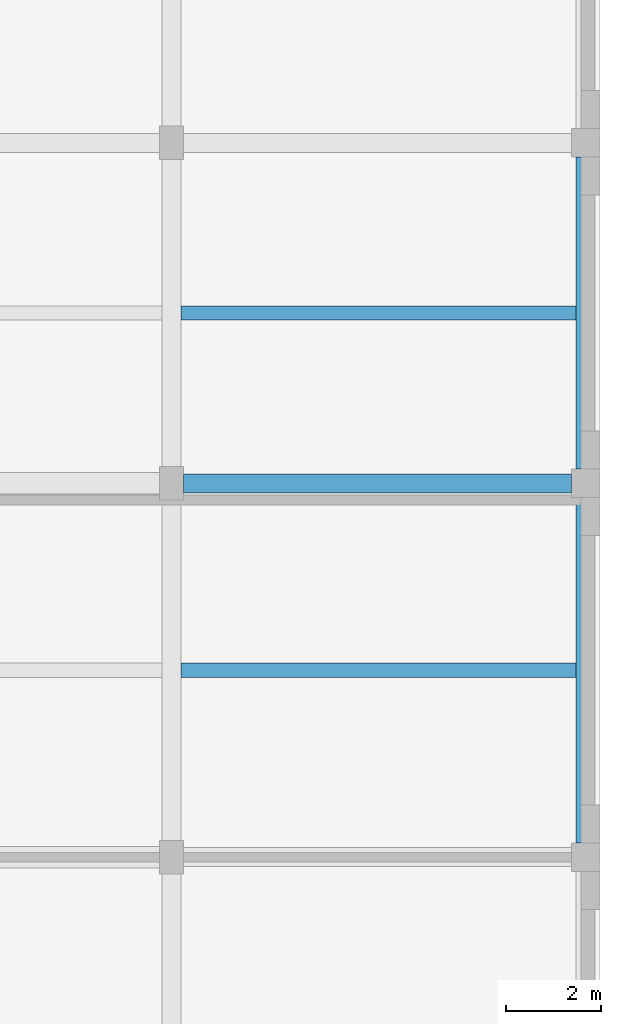
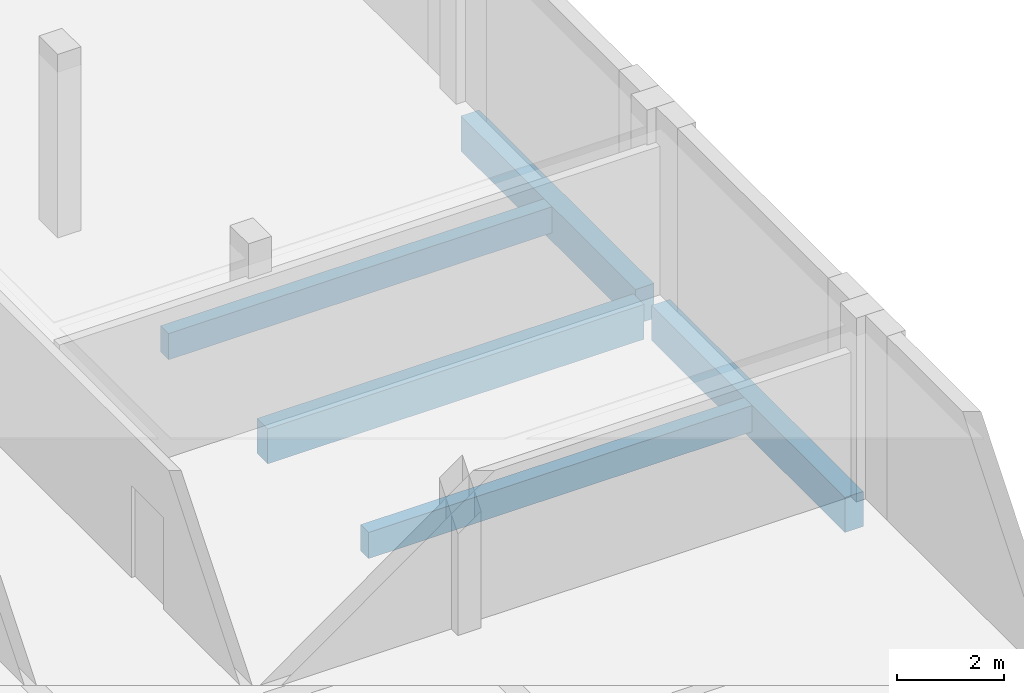
# One storey, part 24 of 92: 5 beams.
"""IFC4 building model written with IfcOpenShell, lengths in metres."""

from ifc_helpers import new_model, si_unit, direction, frame, origin, origin_2d, place, context, subcontext, project, spatial, rectangle, extrude, material, material_profile, profile_set, type_object, element, save


model = new_model("IFC4")

# Units and contexts
model_context = context("Model", 3, precision=1e-05, world=origin(), true_north=direction((0.0, 1.0)))
body_context = subcontext(model_context, "Body", "Model", "MODEL_VIEW")
ifc_project = project(units=[si_unit("LENGTHUNIT", "METRE"), si_unit("AREAUNIT", "SQUARE_METRE"), si_unit("VOLUMEUNIT", "CUBIC_METRE"), si_unit("PLANEANGLEUNIT", "RADIAN"), si_unit("MASSUNIT", "GRAM", prefix="KILO")], contexts=[model_context])

# Site, building, storey
site_placement = place(None, origin())
site = spatial("IfcSite", under=ifc_project, at=site_placement, CompositionType="ELEMENT")
building_placement = place(site_placement, origin())
building = spatial("IfcBuilding", under=site, at=building_placement, Name="Sun Court Science Centre", CompositionType="ELEMENT")
storey_placement = place(building_placement, frame((0.0, 0.0, 11.25)))
storey = spatial("IfcBuildingStorey", under=building, at=storey_placement, Name="L02", CompositionType="ELEMENT", Elevation=11.25)

# Beams
ifc_material_1 = material(Name="Concrete C25/30", Category="concrete")
ifc_material_profile_1 = material_profile(ifc_material_1, rectangle(XDim=0.39990234375, YDim=0.800048828125, at=origin_2d()), Name="RC 400x800")
ifc_profile_set_1 = profile_set([ifc_material_profile_1], Name="Concrete C25/30")
beam_type_1 = type_object("IfcBeamType", Name="RC girder 400x800", PredefinedType="BEAM", material=ifc_profile_set_1)
beam_1_placement = place(storey_placement, frame((95.25, 28.85009765625, -0.699951171875), z_axis=(1.0, 0.0, 0.0), x_axis=(0.0, 1.0, 0.0)))
element("IfcBeam", 1, at=beam_1_placement, inside=storey, type_object=beam_type_1, Name="Girder L02 row 4", PredefinedType="BEAM", context=body_context, shape_type="SweptSolid", body=[
    extrude(rectangle(XDim=0.39990234375, YDim=0.800048828125, at=origin_2d()), origin(), (0.0, 0.0, 1.0), 8.14990234375),
])
beam_2_placement = place(storey_placement, frame((103.699951171875, 21.300048828125, -0.699951171875), z_axis=(0.0, 1.0, 0.0), x_axis=(-1.0, 0.0, 0.0)))
element("IfcBeam", 2, at=beam_2_placement, inside=storey, type_object=beam_type_1, Name="Girder L02 line 4", PredefinedType="BEAM", context=body_context, shape_type="SweptSolid", body=[
    extrude(rectangle(XDim=0.39990234375, YDim=0.800048828125, at=origin_2d()), origin(), (0.0, 0.0, 1.0), 7.25),
])
beam_3_placement = place(storey_placement, frame((103.699951171875, 29.14990234375, -0.699951171875), z_axis=(0.0, 1.0, 0.0), x_axis=(-1.0, 0.0, 0.0)))
element("IfcBeam", 3, at=beam_3_placement, inside=storey, type_object=beam_type_1, Name="Girder L02 line 4", PredefinedType="BEAM", context=body_context, shape_type="SweptSolid", body=[
    extrude(rectangle(XDim=0.39990234375, YDim=0.800048828125, at=origin_2d()), origin(), (0.0, 0.0, 1.0), 6.550048828125),
])
ifc_material_2 = material(Name="Concrete C25/30", Category="concrete")
ifc_material_profile_2 = material_profile(ifc_material_2, rectangle(XDim=0.300048828125, YDim=0.60009765625, at=origin_2d()), Name="RC 300x600")
ifc_profile_set_2 = profile_set([ifc_material_profile_2], Name="Concrete C25/30")
beam_type_2 = type_object("IfcBeamType", Name="RC joist 300x600", PredefinedType="JOIST", material=ifc_profile_set_2)
for number, where, z_axis, x_axis, name in (
    (4, (95.199951171875, 24.925048828125, -0.60009765625), (1.0, 0.0, 0.0), (0.0, 1.0, 0.0), "Joist L02"),
    (5, (95.199951171875, 32.425048828125, -0.60009765625), (1.0, 0.0, 0.0), (0.0, 1.0, 0.0), "Joist L02"),
):
    element("IfcBeam", number, at=place(storey_placement, frame(where, z_axis=z_axis, x_axis=x_axis)), inside=storey, type_object=beam_type_2, Name=name, PredefinedType="JOIST", context=body_context, shape_type="SweptSolid", body=[
        extrude(rectangle(XDim=0.300048828125, YDim=0.60009765625, at=origin_2d()), origin(), (0.0, 0.0, 1.0), 8.300048828125),
    ])

save(model, "model.ifc")
